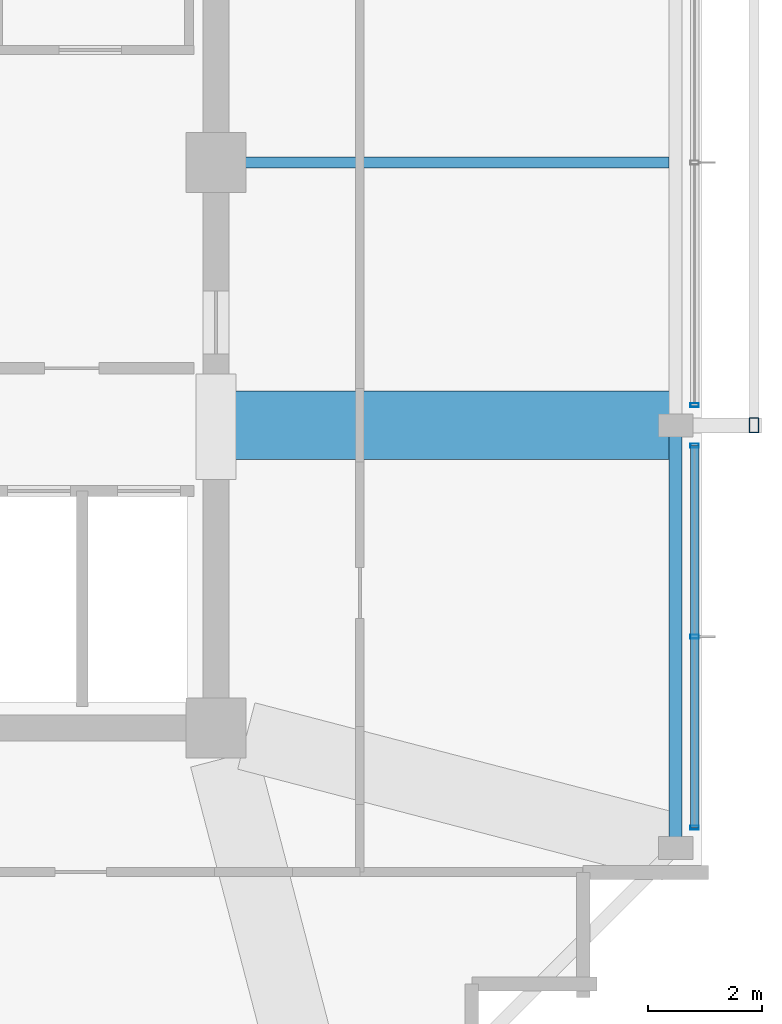
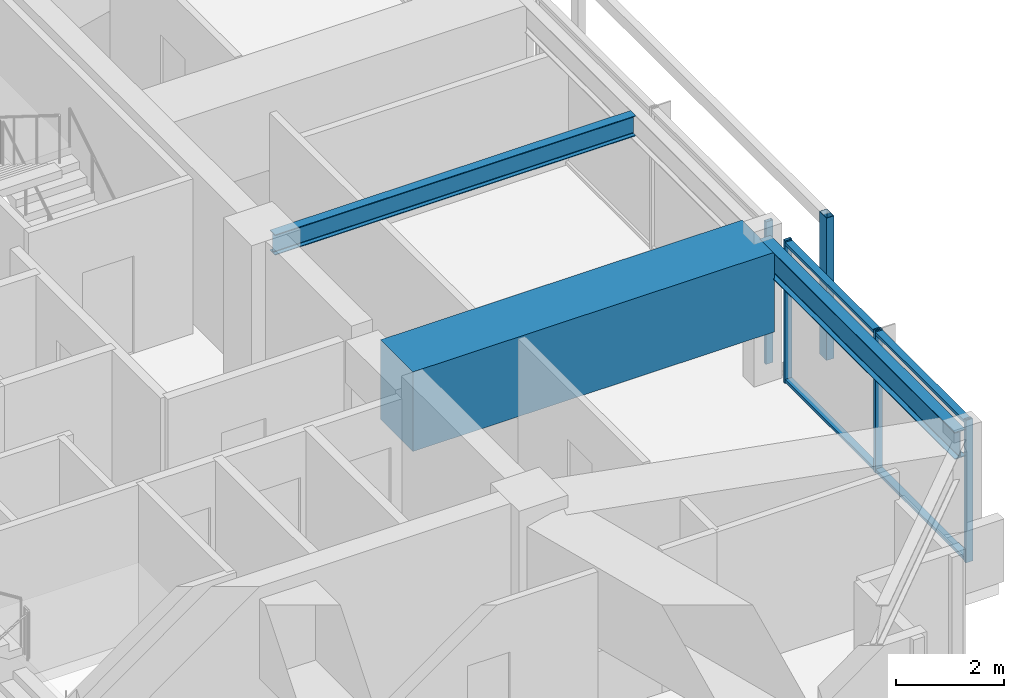
# One storey, part 11 of 30: 7 members, 3 beams, 2 elements without a shape of their own.
"""IFC4 building model written with IfcOpenShell, lengths in metres."""

from ifc_helpers import new_model, si_unit, direction, frame, origin, origin_2d, place, context, subcontext, project, spatial, rectangle, hollow_rectangle, i_section, extrude, material, material_profile, profile_set, type_object, element, aggregate, save


model = new_model("IFC4")

# Units and contexts
model_context = context("Model", 3, precision=1e-05, world=origin(), true_north=direction((0.0, 1.0)))
body_context = subcontext(model_context, "Body", "Model", "MODEL_VIEW")
ifc_project = project(units=[si_unit("LENGTHUNIT", "METRE"), si_unit("AREAUNIT", "SQUARE_METRE"), si_unit("VOLUMEUNIT", "CUBIC_METRE"), si_unit("PLANEANGLEUNIT", "RADIAN"), si_unit("MASSUNIT", "GRAM", prefix="KILO")], contexts=[model_context])

# Site, building, storey
site_placement = place(None, origin())
site = spatial("IfcSite", under=ifc_project, at=site_placement, CompositionType="ELEMENT")
building_placement = place(site_placement, origin())
building = spatial("IfcBuilding", under=site, at=building_placement, Name="Kolvaren Belvedere", CompositionType="ELEMENT")
storey_placement = place(building_placement, frame((0.0, 0.0, 254.89990234375)))
storey = spatial("IfcBuildingStorey", under=building, at=storey_placement, Name="L74", CompositionType="ELEMENT", Elevation=254.89990234375)

# Beams
ifc_material_1 = material(Name="Structural steel ASTM A992 Grade 50", Category="steel")
ifc_material_profile_1 = material_profile(ifc_material_1, i_section(OverallWidth=0.19091796875, OverallDepth=0.4599609375, WebThickness=0.010009765625, FlangeThickness=0.01611328125, FilletRadius=0.014892578125, at=origin_2d()), Name="W18X55")
ifc_profile_set_1 = profile_set([ifc_material_profile_1], Name="Structural steel ASTM A992 Grade 50")
beam_type_1 = type_object("IfcBeamType", Name="BM-JOIST-W18X55", PredefinedType="BEAM", material=ifc_profile_set_1)
beam_1_placement = place(storey_placement, frame((10.125, 0.0, 2.989990234375), z_axis=(1.0, 0.0, 0.0), x_axis=(0.0, 1.0, 0.0)))
element("IfcBeam", 1, at=beam_1_placement, inside=storey, type_object=beam_type_1, Name="L74 East Centre Floor Beam", PredefinedType="BEAM", context=body_context, shape_type="SweptSolid", body=[
    extrude(i_section(OverallWidth=0.19091796875, OverallDepth=0.4599609375, WebThickness=0.010009765625, FlangeThickness=0.01611328125, FilletRadius=0.014892578125, at=origin_2d()), origin(), (0.0, 0.0, 1.0), 7.71044921875),
])
ifc_material_2 = material(Name="Structural steel ASTM A992 Grade 50", Category="steel")
ifc_material_profile_2 = material_profile(ifc_material_2, i_section(OverallWidth=0.22900390625, OverallDepth=0.612060546875, WebThickness=0.011962890625, FlangeThickness=0.01953125, FilletRadius=0.01806640625, at=origin_2d()), Name="W24X84")
ifc_profile_set_2 = profile_set([ifc_material_profile_2], Name="Structural steel ASTM A992 Grade 50")
beam_type_2 = type_object("IfcBeamType", Name="BM-SPAN-W24X84", PredefinedType="SPANDREL", material=ifc_profile_set_2)
beam_2_placement = place(storey_placement, frame((17.949951171875, -11.909912109375, 2.9140625), z_axis=(0.0, 1.0, 0.0), x_axis=(-1.0, 0.0, 0.0)))
element("IfcBeam", 2, at=beam_2_placement, inside=storey, type_object=beam_type_2, Name="L74 Perimeter Spandrel E1-E2", PredefinedType="SPANDREL", context=body_context, shape_type="SweptSolid", body=[
    extrude(i_section(OverallWidth=0.22900390625, OverallDepth=0.612060546875, WebThickness=0.011962890625, FlangeThickness=0.01953125, FilletRadius=0.01806640625, at=origin_2d()), origin(), (0.0, 0.0, 1.0), 7.219970703125),
])
ifc_material_3 = material(Name="Concrete C50/60", Category="concrete")
ifc_material_profile_3 = material_profile(ifc_material_3, rectangle(XDim=1.199951171875, YDim=1.800048828125, at=origin_2d()), Name="RC 1200X1800")
ifc_profile_set_3 = profile_set([ifc_material_profile_3], Name="Concrete C50/60")
beam_type_3 = type_object("IfcBeamType", Name="BM-TG-1800", PredefinedType="BEAM", material=ifc_profile_set_3)
beam_3_placement = place(storey_placement, frame((10.125, -4.60009765625, 2.320068359375), z_axis=(1.0, 0.0, 0.0), x_axis=(0.0, 1.0, 0.0)))
element("IfcBeam", 3, at=beam_3_placement, inside=storey, type_object=beam_type_3, Name="L74 East Radial Girder M", PredefinedType="BEAM", context=body_context, shape_type="SweptSolid", body=[
    extrude(rectangle(XDim=1.199951171875, YDim=1.800048828125, at=origin_2d()), origin(), (0.0, 0.0, 1.0), 7.735107421875),
])

# Curtain wall, member
ifc_material_4 = material(Name="Anodised pale-metal aluminium AA 6063-T6", Category="aluminium")
curtain_wall_type = type_object("IfcCurtainWallType", Name="CW-Z5-HIGH", PredefinedType="NOTDEFINED", material=ifc_material_4)
curtain_wall_1_placement = place(storey_placement, origin())
curtain_wall_1 = element("IfcCurtainWall", 4, at=curtain_wall_1_placement, inside=storey, type_object=curtain_wall_type, Name="L74 Unitised Curtain Wall FCW-L74-E-B2", PredefinedType="NOTDEFINED")
ifc_material_5 = material(Name="Anodised pale-metal aluminium AA 6063-T6", Category="aluminium")
ifc_material_profile_4 = material_profile(ifc_material_5, hollow_rectangle(XDim=0.070068359375, YDim=0.14990234375, WallThickness=0.004150390625, at=origin_2d()), Name="ALU-MUL-150X70")
ifc_profile_set_4 = profile_set([ifc_material_profile_4], Name="Anodised pale-metal aluminium AA 6063-T6")
member_type_1 = type_object("IfcMemberType", Name="CW-MUL-150", PredefinedType="MULLION", material=ifc_profile_set_4)
member_1_placement = place(storey_placement, frame((18.280029296875, -4.2451171875, 0.0), z_axis=(0.0, 0.0, 1.0), x_axis=(0.0, 1.0, 0.0)))
member_1 = element("IfcMember", 5, at=member_1_placement, type_object=member_type_1, Name="FCW-L74-E-B2 Unitised Mullion 3", PredefinedType="MULLION", context=body_context, shape_type="SweptSolid", body=[
    extrude(hollow_rectangle(XDim=0.070068359375, YDim=0.14990234375, WallThickness=0.004150390625, at=origin_2d()), origin(), (0.0, 0.0, 1.0), 3.22021484375),
])
aggregate(curtain_wall_1, [member_1])

# Curtain wall, members
curtain_wall_2_placement = place(storey_placement, origin())
curtain_wall_2 = element("IfcCurtainWall", 6, at=curtain_wall_2_placement, inside=storey, type_object=curtain_wall_type, Name="L74 Unitised Curtain Wall FCW-L74-E-B3", PredefinedType="NOTDEFINED")
member_2_placement = place(storey_placement, frame((18.280029296875, -4.955078125, 0.0), z_axis=(0.0, 0.0, 1.0), x_axis=(0.0, 1.0, 0.0)))
member_2 = element("IfcMember", 7, at=member_2_placement, type_object=member_type_1, Name="FCW-L74-E-B3 Unitised Mullion 1", PredefinedType="MULLION", context=body_context, shape_type="SweptSolid", body=[
    extrude(hollow_rectangle(XDim=0.070068359375, YDim=0.14990234375, WallThickness=0.004150390625, at=origin_2d()), origin(), (0.0, 0.0, 1.0), 3.22021484375),
])
member_3_placement = place(storey_placement, frame((18.280029296875, -8.300048828125, 0.0), z_axis=(0.0, 0.0, 1.0), x_axis=(0.0, 1.0, 0.0)))
member_3 = element("IfcMember", 8, at=member_3_placement, type_object=member_type_1, Name="FCW-L74-E-B3 Unitised Mullion 2", PredefinedType="MULLION", context=body_context, shape_type="SweptSolid", body=[
    extrude(hollow_rectangle(XDim=0.070068359375, YDim=0.14990234375, WallThickness=0.004150390625, at=origin_2d()), origin(), (0.0, 0.0, 1.0), 3.22021484375),
])
member_4_placement = place(storey_placement, frame((18.280029296875, -11.64501953125, 0.0), z_axis=(0.0, 0.0, 1.0), x_axis=(0.0, 1.0, 0.0)))
member_4 = element("IfcMember", 9, at=member_4_placement, type_object=member_type_1, Name="FCW-L74-E-B3 Unitised Mullion 3", PredefinedType="MULLION", context=body_context, shape_type="SweptSolid", body=[
    extrude(hollow_rectangle(XDim=0.070068359375, YDim=0.14990234375, WallThickness=0.004150390625, at=origin_2d()), origin(), (0.0, 0.0, 1.0), 3.22021484375),
])
ifc_material_6 = material(Name="Anodised pale-metal aluminium AA 6063-T6", Category="aluminium")
ifc_material_profile_5 = material_profile(ifc_material_6, hollow_rectangle(XDim=0.06494140625, YDim=0.14990234375, WallThickness=0.00390625, at=origin_2d()), Name="ALU-TRN-150X65")
ifc_profile_set_5 = profile_set([ifc_material_profile_5], Name="Anodised pale-metal aluminium AA 6063-T6")
member_type_2 = type_object("IfcMemberType", Name="CW-TRN-150", PredefinedType="USERDEFINED", material=ifc_profile_set_5)
member_5_placement = place(storey_placement, frame((18.280029296875, -4.955078125, 0.06005859375), z_axis=(0.0, -1.0, 0.0), x_axis=(0.0, 0.0, 1.0)))
member_5 = element("IfcMember", 10, at=member_5_placement, type_object=member_type_2, Name="FCW-L74-E-B3 Sill Transom", ObjectType="TRANSOM", PredefinedType="USERDEFINED", context=body_context, shape_type="SweptSolid", body=[
    extrude(hollow_rectangle(XDim=0.06494140625, YDim=0.14990234375, WallThickness=0.00390625, at=origin_2d()), origin(), (0.0, 0.0, 1.0), 6.68994140625),
])
member_6_placement = place(storey_placement, frame((18.280029296875, -4.955078125, 3.16015625), z_axis=(0.0, -1.0, 0.0), x_axis=(0.0, 0.0, 1.0)))
member_6 = element("IfcMember", 11, at=member_6_placement, type_object=member_type_2, Name="FCW-L74-E-B3 Head Transom", ObjectType="TRANSOM", PredefinedType="USERDEFINED", context=body_context, shape_type="SweptSolid", body=[
    extrude(hollow_rectangle(XDim=0.06494140625, YDim=0.14990234375, WallThickness=0.00390625, at=origin_2d()), origin(), (0.0, 0.0, 1.0), 6.68994140625),
])
aggregate(curtain_wall_2, [member_2, member_3, member_4, member_5, member_6])

# Member
ifc_material_7 = material(Name="Anodised pale-metal aluminium AA 6063-T6", Category="aluminium")
ifc_material_profile_6 = material_profile(ifc_material_7, hollow_rectangle(XDim=0.159912109375, YDim=0.260009765625, WallThickness=0.006591796875, at=origin_2d()), Name="ALU-PF-260X160")
ifc_profile_set_6 = profile_set([ifc_material_profile_6], Name="Anodised pale-metal aluminium AA 6063-T6")
member_type_3 = type_object("IfcMemberType", Name="PF-FRAME-260", PredefinedType="USERDEFINED", material=ifc_profile_set_6)
member_7_placement = place(storey_placement, frame((19.320068359375, -4.60009765625, 0.0), z_axis=(0.0, 0.0, 1.0), x_axis=(1.0, 0.0, 0.0)))
element("IfcMember", 12, at=member_7_placement, inside=storey, type_object=member_type_3, Name="L74 Outboard Picture-Frame Vertical E2", ObjectType="PICTURE FRAME FIN", PredefinedType="USERDEFINED", context=body_context, shape_type="SweptSolid", body=[
    extrude(hollow_rectangle(XDim=0.159912109375, YDim=0.260009765625, WallThickness=0.006591796875, at=origin_2d()), origin(), (0.0, 0.0, 1.0), 3.22021484375),
])

save(model, "model.ifc")
